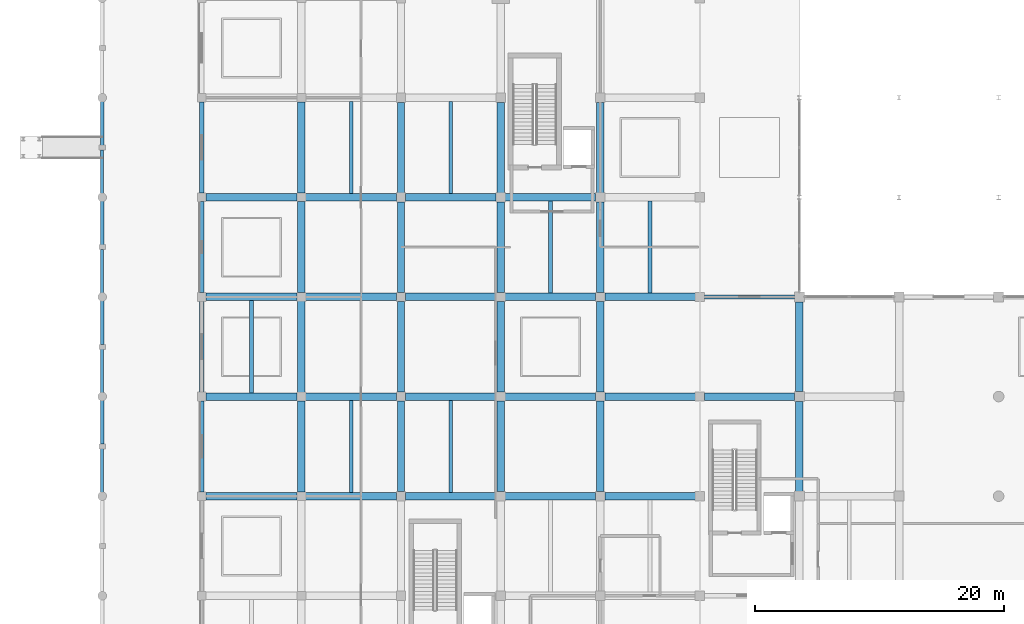
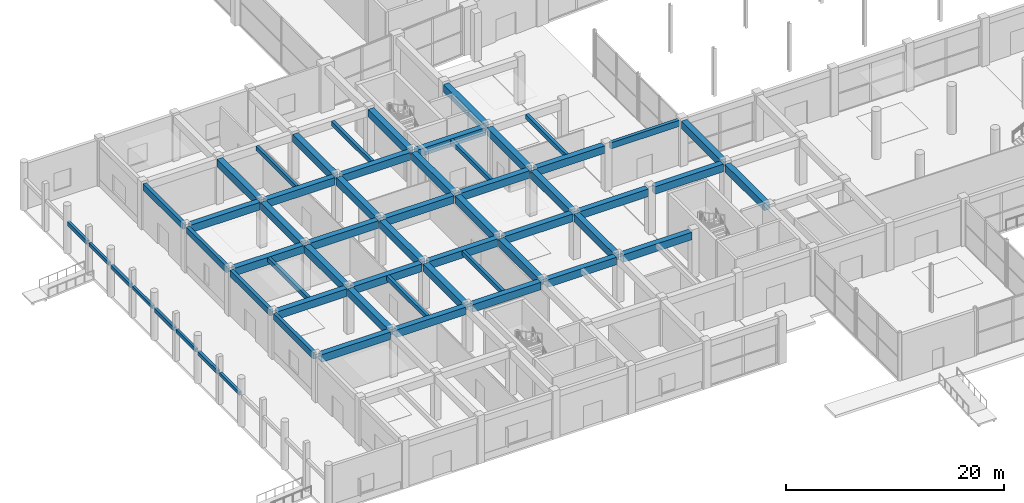
# One storey, part 16 of 86: 58 beams.
"""IFC4 building model written with IfcOpenShell, lengths in metres."""

from ifc_helpers import new_model, si_unit, direction, frame, origin, origin_2d, place, context, subcontext, project, spatial, rectangle, extrude, material, material_profile, profile_set, type_object, element, save


model = new_model("IFC4")

# Units and contexts
model_context = context("Model", 3, precision=1e-05, world=origin(), true_north=direction((0.0, 1.0)))
body_context = subcontext(model_context, "Body", "Model", "MODEL_VIEW")
ifc_project = project(units=[si_unit("LENGTHUNIT", "METRE"), si_unit("AREAUNIT", "SQUARE_METRE"), si_unit("VOLUMEUNIT", "CUBIC_METRE"), si_unit("PLANEANGLEUNIT", "RADIAN"), si_unit("MASSUNIT", "GRAM", prefix="KILO")], contexts=[model_context])

# Site, building, storey
site_placement = place(None, origin())
site = spatial("IfcSite", under=ifc_project, at=site_placement, CompositionType="ELEMENT")
building_placement = place(site_placement, origin())
building = spatial("IfcBuilding", under=site, at=building_placement, Name="Kenh Van Central Station", CompositionType="ELEMENT")
storey_placement = place(building_placement, origin())
storey = spatial("IfcBuildingStorey", under=building, at=storey_placement, Name="L00", CompositionType="ELEMENT", Elevation=0.0)

# Beams
ifc_material = material(Name="Concrete C35/45", Category="concrete")
ifc_material_profile_1 = material_profile(ifc_material, rectangle(XDim=0.60009765625, YDim=0.85009765625, at=origin_2d()), Name="RC 600x850")
ifc_profile_set_1 = profile_set([ifc_material_profile_1], Name="Concrete C35/45")
beam_type_1 = type_object("IfcBeamType", Name="BM-RC-600x850", PredefinedType="BEAM", material=ifc_profile_set_1)
beam_1_placement = place(storey_placement, frame((8.340087890625, 24.0, 4.695068359375), z_axis=(1.0, 0.0, 0.0), x_axis=(0.0, 1.0, 0.0)))
element("IfcBeam", 1, at=beam_1_placement, inside=storey, type_object=beam_type_1, Name="L00 beam 0379", PredefinedType="BEAM", context=body_context, shape_type="SweptSolid", body=[
    extrude(rectangle(XDim=0.60009765625, YDim=0.85009765625, at=origin_2d()), origin(), (0.0, 0.0, 1.0), 7.31982421875),
])
beam_2_placement = place(storey_placement, frame((16.340087890625, 24.0, 4.695068359375), z_axis=(1.0, 0.0, 0.0), x_axis=(0.0, 1.0, 0.0)))
element("IfcBeam", 2, at=beam_2_placement, inside=storey, type_object=beam_type_1, Name="L00 beam 0380", PredefinedType="BEAM", context=body_context, shape_type="SweptSolid", body=[
    extrude(rectangle(XDim=0.60009765625, YDim=0.85009765625, at=origin_2d()), origin(), (0.0, 0.0, 1.0), 7.294921875),
])
for number, where, z_axis, x_axis, name in (
    (3, (24.364990234375, 24.0, 4.695068359375), (1.0, 0.0, 0.0), (0.0, 1.0, 0.0), "L00 beam 0381"),
    (4, (32.364990234375, 24.0, 4.695068359375), (1.0, 0.0, 0.0), (0.0, 1.0, 0.0), "L00 beam 0382"),
    (5, (40.364990234375, 24.0, 4.695068359375), (1.0, 0.0, 0.0), (0.0, 1.0, 0.0), "L00 beam 0383"),
):
    element("IfcBeam", number, at=place(storey_placement, frame(where, z_axis=z_axis, x_axis=x_axis)), inside=storey, type_object=beam_type_1, Name=name, PredefinedType="BEAM", context=body_context, shape_type="SweptSolid", body=[
        extrude(rectangle(XDim=0.60009765625, YDim=0.85009765625, at=origin_2d()), origin(), (0.0, 0.0, 1.0), 7.27001953125),
    ])
beam_3_placement = place(storey_placement, frame((8.340087890625, 32.0, 4.695068359375), z_axis=(1.0, 0.0, 0.0), x_axis=(0.0, 1.0, 0.0)))
element("IfcBeam", 6, at=beam_3_placement, inside=storey, type_object=beam_type_1, Name="L00 beam 0392", PredefinedType="BEAM", context=body_context, shape_type="SweptSolid", body=[
    extrude(rectangle(XDim=0.60009765625, YDim=0.85009765625, at=origin_2d()), origin(), (0.0, 0.0, 1.0), 7.31982421875),
])
beam_4_placement = place(storey_placement, frame((16.340087890625, 32.0, 4.695068359375), z_axis=(1.0, 0.0, 0.0), x_axis=(0.0, 1.0, 0.0)))
element("IfcBeam", 7, at=beam_4_placement, inside=storey, type_object=beam_type_1, Name="L00 beam 0393", PredefinedType="BEAM", context=body_context, shape_type="SweptSolid", body=[
    extrude(rectangle(XDim=0.60009765625, YDim=0.85009765625, at=origin_2d()), origin(), (0.0, 0.0, 1.0), 7.294921875),
])
for number, where, z_axis, x_axis, name in (
    (8, (24.364990234375, 32.0, 4.695068359375), (1.0, 0.0, 0.0), (0.0, 1.0, 0.0), "L00 beam 0394"),
    (9, (32.364990234375, 32.0, 4.695068359375), (1.0, 0.0, 0.0), (0.0, 1.0, 0.0), "L00 beam 0395"),
    (10, (40.364990234375, 32.0, 4.695068359375), (1.0, 0.0, 0.0), (0.0, 1.0, 0.0), "L00 beam 0396"),
):
    element("IfcBeam", number, at=place(storey_placement, frame(where, z_axis=z_axis, x_axis=x_axis)), inside=storey, type_object=beam_type_1, Name=name, PredefinedType="BEAM", context=body_context, shape_type="SweptSolid", body=[
        extrude(rectangle(XDim=0.60009765625, YDim=0.85009765625, at=origin_2d()), origin(), (0.0, 0.0, 1.0), 7.27001953125),
    ])
beam_5_placement = place(storey_placement, frame((48.364990234375, 32.0, 4.695068359375), z_axis=(1.0, 0.0, 0.0), x_axis=(0.0, 1.0, 0.0)))
element("IfcBeam", 11, at=beam_5_placement, inside=storey, type_object=beam_type_1, Name="L00 beam 0397", PredefinedType="BEAM", context=body_context, shape_type="SweptSolid", body=[
    extrude(rectangle(XDim=0.60009765625, YDim=0.85009765625, at=origin_2d()), origin(), (0.0, 0.0, 1.0), 7.2451171875),
])
beam_6_placement = place(storey_placement, frame((8.340087890625, 40.0, 4.695068359375), z_axis=(1.0, 0.0, 0.0), x_axis=(0.0, 1.0, 0.0)))
element("IfcBeam", 12, at=beam_6_placement, inside=storey, type_object=beam_type_1, Name="L00 beam 0406", PredefinedType="BEAM", context=body_context, shape_type="SweptSolid", body=[
    extrude(rectangle(XDim=0.60009765625, YDim=0.85009765625, at=origin_2d()), origin(), (0.0, 0.0, 1.0), 7.31982421875),
])
beam_7_placement = place(storey_placement, frame((16.340087890625, 40.0, 4.695068359375), z_axis=(1.0, 0.0, 0.0), x_axis=(0.0, 1.0, 0.0)))
element("IfcBeam", 13, at=beam_7_placement, inside=storey, type_object=beam_type_1, Name="L00 beam 0407", PredefinedType="BEAM", context=body_context, shape_type="SweptSolid", body=[
    extrude(rectangle(XDim=0.60009765625, YDim=0.85009765625, at=origin_2d()), origin(), (0.0, 0.0, 1.0), 7.294921875),
])
for number, where, z_axis, x_axis, name in (
    (14, (24.364990234375, 40.0, 4.695068359375), (1.0, 0.0, 0.0), (0.0, 1.0, 0.0), "L00 beam 0408"),
    (15, (32.364990234375, 40.0, 4.695068359375), (1.0, 0.0, 0.0), (0.0, 1.0, 0.0), "L00 beam 0409"),
    (16, (40.364990234375, 40.0, 4.695068359375), (1.0, 0.0, 0.0), (0.0, 1.0, 0.0), "L00 beam 0410"),
):
    element("IfcBeam", number, at=place(storey_placement, frame(where, z_axis=z_axis, x_axis=x_axis)), inside=storey, type_object=beam_type_1, Name=name, PredefinedType="BEAM", context=body_context, shape_type="SweptSolid", body=[
        extrude(rectangle(XDim=0.60009765625, YDim=0.85009765625, at=origin_2d()), origin(), (0.0, 0.0, 1.0), 7.27001953125),
    ])
beam_8_placement = place(storey_placement, frame((8.340087890625, 48.0, 4.695068359375), z_axis=(1.0, 0.0, 0.0), x_axis=(0.0, 1.0, 0.0)))
element("IfcBeam", 17, at=beam_8_placement, inside=storey, type_object=beam_type_1, Name="L00 beam 0426", PredefinedType="BEAM", context=body_context, shape_type="SweptSolid", body=[
    extrude(rectangle(XDim=0.60009765625, YDim=0.85009765625, at=origin_2d()), origin(), (0.0, 0.0, 1.0), 7.31982421875),
])
beam_9_placement = place(storey_placement, frame((16.340087890625, 48.0, 4.695068359375), z_axis=(1.0, 0.0, 0.0), x_axis=(0.0, 1.0, 0.0)))
element("IfcBeam", 18, at=beam_9_placement, inside=storey, type_object=beam_type_1, Name="L00 beam 0427", PredefinedType="BEAM", context=body_context, shape_type="SweptSolid", body=[
    extrude(rectangle(XDim=0.60009765625, YDim=0.85009765625, at=origin_2d()), origin(), (0.0, 0.0, 1.0), 7.294921875),
])
for number, where, z_axis, x_axis, name in (
    (19, (24.364990234375, 48.0, 4.695068359375), (1.0, 0.0, 0.0), (0.0, 1.0, 0.0), "L00 beam 0428"),
    (20, (32.364990234375, 48.0, 4.695068359375), (1.0, 0.0, 0.0), (0.0, 1.0, 0.0), "L00 beam 0429"),
):
    element("IfcBeam", number, at=place(storey_placement, frame(where, z_axis=z_axis, x_axis=x_axis)), inside=storey, type_object=beam_type_1, Name=name, PredefinedType="BEAM", context=body_context, shape_type="SweptSolid", body=[
        extrude(rectangle(XDim=0.60009765625, YDim=0.85009765625, at=origin_2d()), origin(), (0.0, 0.0, 1.0), 7.27001953125),
    ])
for number, where, z_axis, x_axis, name in (
    (21, (16.0, 24.340087890625, 4.695068359375), (0.0, 1.0, 0.0), (-1.0, 0.0, 0.0), "L00 beam 0475"),
    (22, (16.0, 32.340087890625, 4.695068359375), (0.0, 1.0, 0.0), (-1.0, 0.0, 0.0), "L00 beam 0476"),
    (23, (16.0, 40.340087890625, 4.695068359375), (0.0, 1.0, 0.0), (-1.0, 0.0, 0.0), "L00 beam 0477"),
    (24, (16.0, 48.340087890625, 4.695068359375), (0.0, 1.0, 0.0), (-1.0, 0.0, 0.0), "L00 beam 0478"),
):
    element("IfcBeam", number, at=place(storey_placement, frame(where, z_axis=z_axis, x_axis=x_axis)), inside=storey, type_object=beam_type_1, Name=name, PredefinedType="BEAM", context=body_context, shape_type="SweptSolid", body=[
        extrude(rectangle(XDim=0.60009765625, YDim=0.85009765625, at=origin_2d()), origin(), (0.0, 0.0, 1.0), 7.31982421875),
    ])
for number, where, z_axis, x_axis, name in (
    (25, (24.0, 24.364990234375, 4.695068359375), (0.0, 1.0, 0.0), (-1.0, 0.0, 0.0), "L00 beam 0482"),
    (26, (24.0, 32.364990234375, 4.695068359375), (0.0, 1.0, 0.0), (-1.0, 0.0, 0.0), "L00 beam 0483"),
    (27, (24.0, 40.364990234375, 4.695068359375), (0.0, 1.0, 0.0), (-1.0, 0.0, 0.0), "L00 beam 0484"),
    (28, (24.0, 48.364990234375, 4.695068359375), (0.0, 1.0, 0.0), (-1.0, 0.0, 0.0), "L00 beam 0485"),
    (29, (32.0, 24.364990234375, 4.695068359375), (0.0, 1.0, 0.0), (-1.0, 0.0, 0.0), "L00 beam 0489"),
    (30, (32.0, 32.364990234375, 4.695068359375), (0.0, 1.0, 0.0), (-1.0, 0.0, 0.0), "L00 beam 0490"),
    (31, (32.0, 40.364990234375, 4.695068359375), (0.0, 1.0, 0.0), (-1.0, 0.0, 0.0), "L00 beam 0491"),
    (32, (32.0, 48.364990234375, 4.695068359375), (0.0, 1.0, 0.0), (-1.0, 0.0, 0.0), "L00 beam 0492"),
    (33, (40.0, 24.364990234375, 4.695068359375), (0.0, 1.0, 0.0), (-1.0, 0.0, 0.0), "L00 beam 0496"),
    (34, (40.0, 32.364990234375, 4.695068359375), (0.0, 1.0, 0.0), (-1.0, 0.0, 0.0), "L00 beam 0497"),
    (35, (40.0, 40.364990234375, 4.695068359375), (0.0, 1.0, 0.0), (-1.0, 0.0, 0.0), "L00 beam 0498"),
    (36, (40.0, 48.364990234375, 4.695068359375), (0.0, 1.0, 0.0), (-1.0, 0.0, 0.0), "L00 beam 0499"),
):
    element("IfcBeam", number, at=place(storey_placement, frame(where, z_axis=z_axis, x_axis=x_axis)), inside=storey, type_object=beam_type_1, Name=name, PredefinedType="BEAM", context=body_context, shape_type="SweptSolid", body=[
        extrude(rectangle(XDim=0.60009765625, YDim=0.85009765625, at=origin_2d()), origin(), (0.0, 0.0, 1.0), 7.27001953125),
    ])
for number, where, z_axis, x_axis, name in (
    (37, (56.0, 24.389892578125, 4.695068359375), (0.0, 1.0, 0.0), (-1.0, 0.0, 0.0), "L00 beam 0502"),
    (38, (56.0, 32.389892578125, 4.695068359375), (0.0, 1.0, 0.0), (-1.0, 0.0, 0.0), "L00 beam 0503"),
):
    element("IfcBeam", number, at=place(storey_placement, frame(where, z_axis=z_axis, x_axis=x_axis)), inside=storey, type_object=beam_type_1, Name=name, PredefinedType="BEAM", context=body_context, shape_type="SweptSolid", body=[
        extrude(rectangle(XDim=0.60009765625, YDim=0.85009765625, at=origin_2d()), origin(), (0.0, 0.0, 1.0), 7.22021484375),
    ])
ifc_material_profile_2 = material_profile(ifc_material, rectangle(XDim=0.300048828125, YDim=0.5, at=origin_2d()), Name="RC 300x500")
ifc_profile_set_2 = profile_set([ifc_material_profile_2], Name="Concrete C35/45")
beam_type_2 = type_object("IfcBeamType", Name="JST-RC-300x500", PredefinedType="JOIST", material=ifc_profile_set_2)
for number, where, z_axis, x_axis, name in (
    (39, (12.0, 32.300048828125, 4.8701171875), (0.0, 1.0, 0.0), (-1.0, 0.0, 0.0), "L00 floor joist 0589"),
    (40, (20.0, 24.300048828125, 4.8701171875), (0.0, 1.0, 0.0), (-1.0, 0.0, 0.0), "L00 floor joist 0590"),
    (41, (20.0, 48.300048828125, 4.8701171875), (0.0, 1.0, 0.0), (-1.0, 0.0, 0.0), "L00 floor joist 0591"),
    (42, (28.0, 24.300048828125, 4.8701171875), (0.0, 1.0, 0.0), (-1.0, 0.0, 0.0), "L00 floor joist 0592"),
    (43, (28.0, 48.300048828125, 4.8701171875), (0.0, 1.0, 0.0), (-1.0, 0.0, 0.0), "L00 floor joist 0593"),
    (44, (36.0, 40.300048828125, 4.8701171875), (0.0, 1.0, 0.0), (-1.0, 0.0, 0.0), "L00 floor joist 0595"),
    (45, (44.0, 40.300048828125, 4.8701171875), (0.0, 1.0, 0.0), (-1.0, 0.0, 0.0), "L00 floor joist 0597"),
):
    element("IfcBeam", number, at=place(storey_placement, frame(where, z_axis=z_axis, x_axis=x_axis)), inside=storey, type_object=beam_type_2, Name=name, PredefinedType="JOIST", context=body_context, shape_type="SweptSolid", body=[
        extrude(rectangle(XDim=0.300048828125, YDim=0.5, at=origin_2d()), origin(), (0.0, 0.0, 1.0), 7.39990234375),
    ])
ifc_material_profile_3 = material_profile(ifc_material, rectangle(XDim=0.25, YDim=0.360107421875, at=origin_2d()), Name="RC 250x360")
ifc_profile_set_3 = profile_set([ifc_material_profile_3], Name="Concrete C35/45")
beam_type_3 = type_object("IfcBeamType", Name="LIN-RC-250x360", PredefinedType="LINTEL", material=ifc_profile_set_3)
for number, where, z_axis, x_axis, name in (
    (46, (0.0, 24.179931640625, 3.419921875), (0.0, 1.0, 0.0), (-1.0, 0.0, 0.0), "West arcade portal lintel 005"),
    (47, (0.0, 32.179931640625, 3.419921875), (0.0, 1.0, 0.0), (-1.0, 0.0, 0.0), "West arcade portal lintel 007"),
    (48, (0.0, 40.179931640625, 3.419921875), (0.0, 1.0, 0.0), (-1.0, 0.0, 0.0), "West arcade portal lintel 009"),
    (49, (0.0, 48.179931640625, 3.419921875), (0.0, 1.0, 0.0), (-1.0, 0.0, 0.0), "West arcade portal lintel 011"),
):
    element("IfcBeam", number, at=place(storey_placement, frame(where, z_axis=z_axis, x_axis=x_axis)), inside=storey, type_object=beam_type_3, Name=name, PredefinedType="LINTEL", context=body_context, shape_type="SweptSolid", body=[
        extrude(rectangle(XDim=0.25, YDim=0.360107421875, at=origin_2d()), origin(), (0.0, 0.0, 1.0), 3.64013671875),
    ])
ifc_material_profile_4 = material_profile(ifc_material, rectangle(XDim=0.300048828125, YDim=0.419921875, at=origin_2d()), Name="RC 300x420")
ifc_profile_set_4 = profile_set([ifc_material_profile_4], Name="Concrete C35/45")
beam_type_4 = type_object("IfcBeamType", Name="LIN-RC-300x420", PredefinedType="LINTEL", material=ifc_profile_set_4)
for number, where, z_axis, x_axis, name in (
    (50, (0.0, 28.179931640625, 3.389892578125), (0.0, 1.0, 0.0), (-1.0, 0.0, 0.0), "West arcade portal lintel 006"),
    (51, (0.0, 36.179931640625, 3.389892578125), (0.0, 1.0, 0.0), (-1.0, 0.0, 0.0), "West arcade portal lintel 008"),
    (52, (0.0, 44.179931640625, 3.389892578125), (0.0, 1.0, 0.0), (-1.0, 0.0, 0.0), "West arcade portal lintel 010"),
    (53, (0.0, 52.179931640625, 3.389892578125), (0.0, 1.0, 0.0), (-1.0, 0.0, 0.0), "West arcade portal lintel 012"),
):
    element("IfcBeam", number, at=place(storey_placement, frame(where, z_axis=z_axis, x_axis=x_axis)), inside=storey, type_object=beam_type_4, Name=name, PredefinedType="LINTEL", context=body_context, shape_type="SweptSolid", body=[
        extrude(rectangle(XDim=0.300048828125, YDim=0.419921875, at=origin_2d()), origin(), (0.0, 0.0, 1.0), 3.64013671875),
    ])
ifc_material_profile_5 = material_profile(ifc_material, rectangle(XDim=0.35009765625, YDim=0.699951171875, at=origin_2d()), Name="RC 350x700")
ifc_profile_set_5 = profile_set([ifc_material_profile_5], Name="Concrete C35/45")
beam_type_5 = type_object("IfcBeamType", Name="SPD-RC-350x700", PredefinedType="SPANDREL", material=ifc_profile_set_5)
beam_10_placement = place(storey_placement, frame((48.364990234375, 40.0, 4.77001953125), z_axis=(1.0, 0.0, 0.0), x_axis=(0.0, 1.0, 0.0)))
element("IfcBeam", 54, at=beam_10_placement, inside=storey, type_object=beam_type_5, Name="L00 beam 0411", PredefinedType="SPANDREL", context=body_context, shape_type="SweptSolid", body=[
    extrude(rectangle(XDim=0.35009765625, YDim=0.699951171875, at=origin_2d()), origin(), (0.0, 0.0, 1.0), 7.2451171875),
])
for number, where, z_axis, x_axis, name in (
    (55, (8.0, 24.340087890625, 4.77001953125), (0.0, 1.0, 0.0), (-1.0, 0.0, 0.0), "L00 beam 0468"),
    (56, (8.0, 32.340087890625, 4.77001953125), (0.0, 1.0, 0.0), (-1.0, 0.0, 0.0), "L00 beam 0469"),
    (57, (8.0, 40.340087890625, 4.77001953125), (0.0, 1.0, 0.0), (-1.0, 0.0, 0.0), "L00 beam 0470"),
    (58, (8.0, 48.340087890625, 4.77001953125), (0.0, 1.0, 0.0), (-1.0, 0.0, 0.0), "L00 beam 0471"),
):
    element("IfcBeam", number, at=place(storey_placement, frame(where, z_axis=z_axis, x_axis=x_axis)), inside=storey, type_object=beam_type_5, Name=name, PredefinedType="SPANDREL", context=body_context, shape_type="SweptSolid", body=[
        extrude(rectangle(XDim=0.35009765625, YDim=0.699951171875, at=origin_2d()), origin(), (0.0, 0.0, 1.0), 7.31982421875),
    ])

save(model, "model.ifc")
